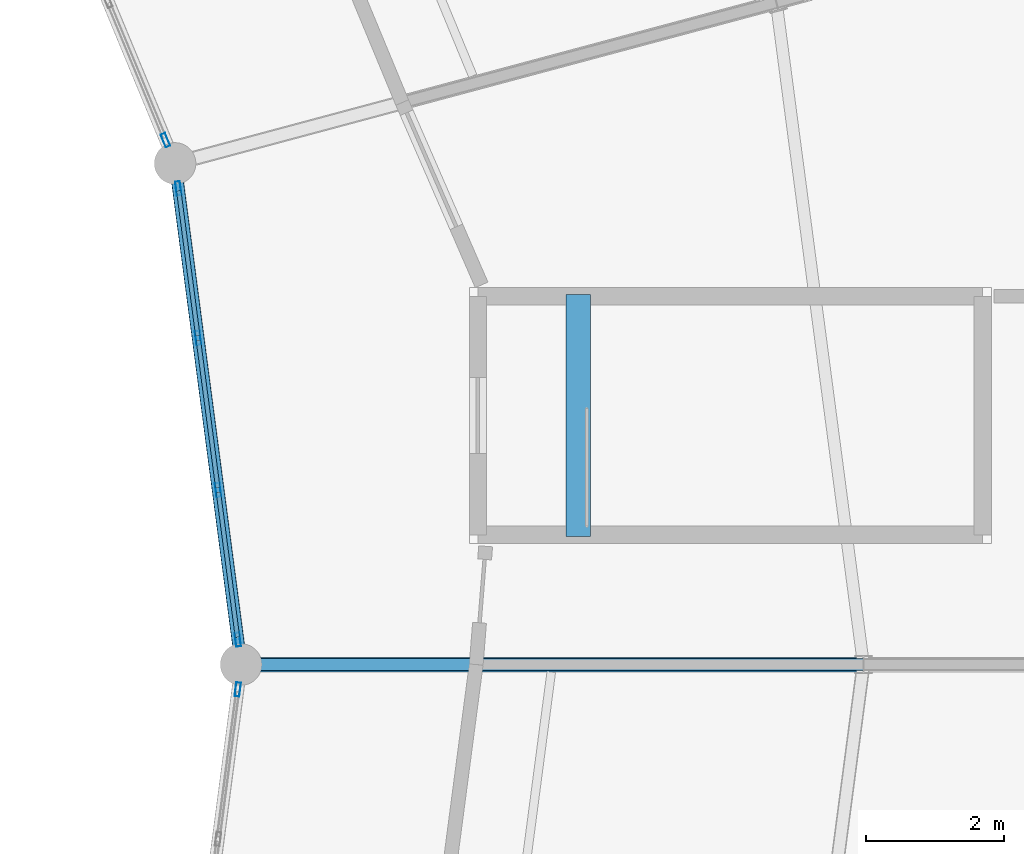
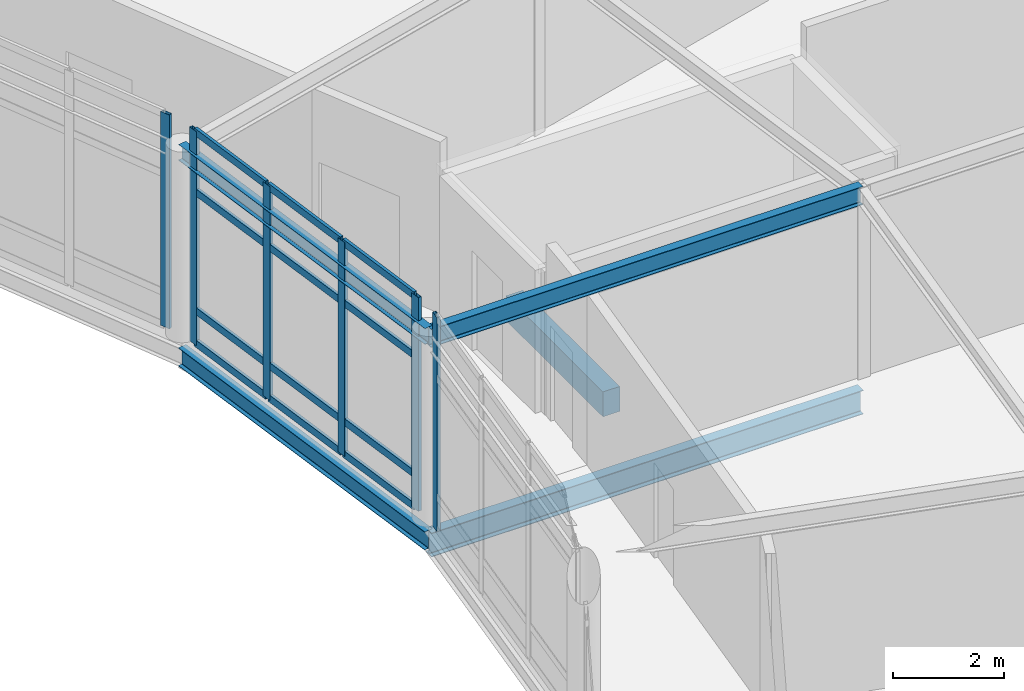
# One storey, part 116 of 185: 18 members, 5 beams, 3 elements without a shape of their own.
"""IFC4 building model written with IfcOpenShell, lengths in metres."""

from ifc_helpers import new_model, si_unit, direction, frame, origin, origin_2d, place, context, subcontext, project, spatial, rectangle, hollow_rectangle, i_section, extrude, material, material_profile, profile_set, type_object, element, aggregate, save


model = new_model("IFC4")

# Units and contexts
model_context = context("Model", 3, precision=1e-05, world=origin(), true_north=direction((0.0, 1.0)))
body_context = subcontext(model_context, "Body", "Model", "MODEL_VIEW")
ifc_project = project(units=[si_unit("LENGTHUNIT", "METRE"), si_unit("AREAUNIT", "SQUARE_METRE"), si_unit("VOLUMEUNIT", "CUBIC_METRE"), si_unit("PLANEANGLEUNIT", "RADIAN"), si_unit("MASSUNIT", "GRAM", prefix="KILO")], contexts=[model_context])

# Site, building, storey
site_placement = place(None, origin())
site = spatial("IfcSite", under=ifc_project, at=site_placement, CompositionType="ELEMENT")
building_placement = place(site_placement, origin())
building = spatial("IfcBuilding", under=site, at=building_placement, Name="Vondelvale Polytechnic", CompositionType="ELEMENT")
storey_placement = place(building_placement, frame((0.0, 0.0, 9.60009765625)))
storey = spatial("IfcBuildingStorey", under=building, at=storey_placement, Name="L02", CompositionType="ELEMENT", Elevation=9.60009765625)

# Beams
ifc_material_1 = material(Name="Concrete N40 (f'c = 40 MPa)", Category="concrete")
ifc_material_profile_1 = material_profile(ifc_material_1, rectangle(XDim=0.35009765625, YDim=0.550048828125, at=origin_2d()), Name="RC-BM-350x550")
ifc_profile_set_1 = profile_set([ifc_material_profile_1], Name="Concrete N40 (f'c = 40 MPa)")
beam_type_1 = type_object("IfcBeamType", Name="BM-RC350x550", PredefinedType="BEAM", material=ifc_profile_set_1)
beam_1_placement = place(storey_placement, frame((134.875, 73.85009765625, -0.275146484375), z_axis=(0.0, 1.0, 0.0), x_axis=(-1.0, 0.0, 0.0)))
element("IfcBeam", 1, at=beam_1_placement, inside=storey, type_object=beam_type_1, Name="L02 STHD B-06", PredefinedType="BEAM", context=body_context, shape_type="SweptSolid", body=[
    extrude(rectangle(XDim=0.35009765625, YDim=0.550048828125, at=origin_2d()), origin(), (0.0, 0.0, 1.0), 3.5),
])
ifc_material_2 = material(Name="Steel 300PLUS (fy = 300 MPa)", Category="steel")
ifc_material_profile_2 = material_profile(ifc_material_2, i_section(OverallWidth=0.1708984375, OverallDepth=0.35205078125, WebThickness=0.0068359375, FlangeThickness=0.009765625, FilletRadius=0.011474609375, at=origin_2d()), Name="360UB44.7")
ifc_profile_set_2 = profile_set([ifc_material_profile_2], Name="Steel 300PLUS (fy = 300 MPa)")
beam_type_2 = type_object("IfcBeamType", Name="BM-UB360L", PredefinedType="BEAM", material=ifc_profile_set_2)
beam_2_placement = place(storey_placement, frame((130.0, 72.0, 4.02392578125), z_axis=(-0.13053140969, 0.991444174467, 0.0), x_axis=(-0.991444174467, -0.13053140969, 0.0)))
element("IfcBeam", 2, at=beam_2_placement, inside=storey, type_object=beam_type_2, Name="L02 RE B-24", PredefinedType="BEAM", context=body_context, shape_type="SweptSolid", body=[
    extrude(i_section(OverallWidth=0.1708984375, OverallDepth=0.35205078125, WebThickness=0.0068359375, FlangeThickness=0.009765625, FilletRadius=0.011474609375, at=origin_2d()), origin(), (0.0, 0.0, 1.0), 7.309326171875),
])
ifc_material_profile_3 = material_profile(ifc_material_2, i_section(OverallWidth=0.177978515625, OverallDepth=0.403076171875, WebThickness=0.007568359375, FlangeThickness=0.010986328125, FilletRadius=0.011474609375, at=origin_2d()), Name="410UB53.7")
ifc_profile_set_3 = profile_set([ifc_material_profile_3], Name="Steel 300PLUS (fy = 300 MPa)")
beam_type_3 = type_object("IfcBeamType", Name="BM-UB410L", PredefinedType="BEAM", material=ifc_profile_set_3)
beam_3_placement = place(storey_placement, frame((130.0, 72.0, -0.481689453125), z_axis=(-0.13053140969, 0.991444174467, 0.0), x_axis=(-0.991444174467, -0.13053140969, 0.0)))
element("IfcBeam", 3, at=beam_3_placement, inside=storey, type_object=beam_type_3, Name="L02 RB B-23", PredefinedType="BEAM", context=body_context, shape_type="SweptSolid", body=[
    extrude(i_section(OverallWidth=0.177978515625, OverallDepth=0.403076171875, WebThickness=0.007568359375, FlangeThickness=0.010986328125, FilletRadius=0.011474609375, at=origin_2d()), origin(), (0.0, 0.0, 1.0), 7.309326171875),
])
beam_4_placement = place(storey_placement, frame((130.0, 72.0, 3.998291015625), z_axis=(1.0, 0.0, 0.0), x_axis=(0.0, 1.0, 0.0)))
element("IfcBeam", 4, at=beam_4_placement, inside=storey, type_object=beam_type_3, Name="L02 REG B-23", PredefinedType="BEAM", context=body_context, shape_type="SweptSolid", body=[
    extrude(i_section(OverallWidth=0.177978515625, OverallDepth=0.403076171875, WebThickness=0.007568359375, FlangeThickness=0.010986328125, FilletRadius=0.011474609375, at=origin_2d()), origin(), (0.0, 0.0, 1.0), 9.0),
])
ifc_material_profile_4 = material_profile(ifc_material_2, i_section(OverallWidth=0.208984375, OverallDepth=0.528076171875, WebThickness=0.009521484375, FlangeThickness=0.01318359375, FilletRadius=0.013916015625, at=origin_2d()), Name="530UB82.0")
ifc_profile_set_4 = profile_set([ifc_material_profile_4], Name="Steel 300PLUS (fy = 300 MPa)")
beam_type_4 = type_object("IfcBeamType", Name="BM-UB530L", PredefinedType="BEAM", material=ifc_profile_set_4)
beam_5_placement = place(storey_placement, frame((130.0, 72.0, -0.544189453125), z_axis=(1.0, 0.0, 0.0), x_axis=(0.0, 1.0, 0.0)))
element("IfcBeam", 5, at=beam_5_placement, inside=storey, type_object=beam_type_4, Name="L02 RG B-21", PredefinedType="BEAM", context=body_context, shape_type="SweptSolid", body=[
    extrude(i_section(OverallWidth=0.208984375, OverallDepth=0.528076171875, WebThickness=0.009521484375, FlangeThickness=0.01318359375, FilletRadius=0.013916015625, at=origin_2d()), origin(), (0.0, 0.0, 1.0), 9.0),
])

# Curtain wall, members
ifc_material_3 = material(Name="Anodised extruded aluminium 6063-T6", Category="aluminium")
curtain_wall_type = type_object("IfcCurtainWallType", Name="CW-RING-CLOISTER", PredefinedType="NOTDEFINED", material=ifc_material_3)
curtain_wall_1_placement = place(storey_placement, origin())
curtain_wall_1 = element("IfcCurtainWall", 6, at=curtain_wall_1_placement, inside=storey, type_object=curtain_wall_type, Name="L02 architectural curtain wall CW-03-073", PredefinedType="NOTDEFINED")
ifc_material_profile_5 = material_profile(ifc_material_3, hollow_rectangle(XDim=0.070068359375, YDim=0.199951171875, WallThickness=0.00390625, at=origin_2d()), Name="CW-MUL-200x70")
ifc_profile_set_5 = profile_set([ifc_material_profile_5], Name="Anodised extruded aluminium 6063-T6")
member_type_1 = type_object("IfcMemberType", Name="CW-MUL-70x200", PredefinedType="MULLION", material=ifc_profile_set_5)
member_1_placement = place(storey_placement, frame((129.95263671875, 72.360595703125, 0.0), z_axis=(0.0, 0.0, 1.0), x_axis=(-0.99144462243, -0.130528007165, 0.0)))
member_1 = element("IfcMember", 7, at=member_1_placement, type_object=member_type_1, Name="CW-03-073 mullion 1", PredefinedType="MULLION", context=body_context, shape_type="SweptSolid", body=[
    extrude(hollow_rectangle(XDim=0.070068359375, YDim=0.199951171875, WallThickness=0.00390625, at=origin_2d()), origin(), (0.0, 0.0, 1.0), 4.713134765625),
])
member_2_placement = place(storey_placement, frame((129.667724609375, 74.524169921875, 0.0), z_axis=(0.0, 0.0, 1.0), x_axis=(-0.99144462243, -0.130528007165, 0.0)))
member_2 = element("IfcMember", 8, at=member_2_placement, type_object=member_type_1, Name="CW-03-073 mullion 2", PredefinedType="MULLION", context=body_context, shape_type="SweptSolid", body=[
    extrude(hollow_rectangle(XDim=0.070068359375, YDim=0.199951171875, WallThickness=0.00390625, at=origin_2d()), origin(), (0.0, 0.0, 1.0), 4.713134765625),
])
member_3_placement = place(storey_placement, frame((129.378173828125, 76.72265625, 0.0), z_axis=(0.0, 0.0, 1.0), x_axis=(-0.99144462243, -0.130528007165, 0.0)))
member_3 = element("IfcMember", 9, at=member_3_placement, type_object=member_type_1, Name="CW-03-073 mullion 3", PredefinedType="MULLION", context=body_context, shape_type="SweptSolid", body=[
    extrude(hollow_rectangle(XDim=0.070068359375, YDim=0.199951171875, WallThickness=0.00390625, at=origin_2d()), origin(), (0.0, 0.0, 1.0), 4.713134765625),
])
member_4_placement = place(storey_placement, frame((129.09326171875, 78.886474609375, 0.0), z_axis=(0.0, 0.0, 1.0), x_axis=(-0.99144462243, -0.130528007165, 0.0)))
member_4 = element("IfcMember", 10, at=member_4_placement, type_object=member_type_1, Name="CW-03-073 mullion 4", PredefinedType="MULLION", context=body_context, shape_type="SweptSolid", body=[
    extrude(hollow_rectangle(XDim=0.070068359375, YDim=0.199951171875, WallThickness=0.00390625, at=origin_2d()), origin(), (0.0, 0.0, 1.0), 4.713134765625),
])

# Curtain wall, member
curtain_wall_2_placement = place(storey_placement, origin())
curtain_wall_2 = element("IfcCurtainWall", 11, at=curtain_wall_2_placement, inside=storey, type_object=curtain_wall_type, Name="L02 architectural curtain wall CW-03-081", PredefinedType="NOTDEFINED")
member_5_placement = place(storey_placement, frame((128.90625, 79.584228515625, 0.0), z_axis=(0.0, 0.0, 1.0), x_axis=(-0.923881562419, -0.382678531697, 0.0)))
member_5 = element("IfcMember", 12, at=member_5_placement, type_object=member_type_1, Name="CW-03-081 mullion 1", PredefinedType="MULLION", context=body_context, shape_type="SweptSolid", body=[
    extrude(hollow_rectangle(XDim=0.070068359375, YDim=0.199951171875, WallThickness=0.00390625, at=origin_2d()), origin(), (0.0, 0.0, 1.0), 4.713134765625),
])
aggregate(curtain_wall_2, [member_5])

curtain_wall_3_placement = place(storey_placement, origin())
curtain_wall_3 = element("IfcCurtainWall", 13, at=curtain_wall_3_placement, inside=storey, type_object=curtain_wall_type, Name="L02 architectural curtain wall CW-03-378", PredefinedType="NOTDEFINED")
member_6_placement = place(storey_placement, frame((129.95263671875, 71.639404296875, 0.0), z_axis=(0.0, 0.0, 1.0), x_axis=(-0.99144462243, 0.130528007165, 0.0)))
member_6 = element("IfcMember", 14, at=member_6_placement, type_object=member_type_1, Name="CW-03-378 mullion 4", PredefinedType="MULLION", context=body_context, shape_type="SweptSolid", body=[
    extrude(hollow_rectangle(XDim=0.070068359375, YDim=0.199951171875, WallThickness=0.00390625, at=origin_2d()), origin(), (0.0, 0.0, 1.0), 4.713134765625),
])
aggregate(curtain_wall_3, [member_6])

# Member
ifc_material_profile_6 = material_profile(ifc_material_3, hollow_rectangle(XDim=0.06494140625, YDim=0.159912109375, WallThickness=0.00341796875, at=origin_2d()), Name="CW-TRN-160x65")
ifc_profile_set_6 = profile_set([ifc_material_profile_6], Name="Anodised extruded aluminium 6063-T6")
member_type_2 = type_object("IfcMemberType", Name="CW-TRN-70x160", PredefinedType="USERDEFINED", material=ifc_profile_set_6)
member_7_placement = place(storey_placement, frame((129.947998046875, 72.395263671875, 0.032470703125), z_axis=(-0.130604000296, 0.99143461464, 0.0), x_axis=(-0.99143461464, -0.130604000296, 0.0)))
member_7 = element("IfcMember", 15, at=member_7_placement, type_object=member_type_2, Name="CW-03-073 transom 1.1", ObjectType="TRANSOM", PredefinedType="USERDEFINED", context=body_context, shape_type="SweptSolid", body=[
    extrude(hollow_rectangle(XDim=0.06494140625, YDim=0.159912109375, WallThickness=0.00341796875, at=origin_2d()), origin(), (0.0, 0.0, 1.0), 2.1123046875),
])

member_8_placement = place(storey_placement, frame((129.947998046875, 72.395263671875, 0.75), z_axis=(-0.130604000296, 0.99143461464, 0.0), x_axis=(-0.99143461464, -0.130604000296, 0.0)))
member_8 = element("IfcMember", 16, at=member_8_placement, type_object=member_type_2, Name="CW-03-073 transom 1.2", ObjectType="TRANSOM", PredefinedType="USERDEFINED", context=body_context, shape_type="SweptSolid", body=[
    extrude(hollow_rectangle(XDim=0.06494140625, YDim=0.159912109375, WallThickness=0.00341796875, at=origin_2d()), origin(), (0.0, 0.0, 1.0), 2.1123046875),
])

member_9_placement = place(storey_placement, frame((129.947998046875, 72.395263671875, 3.363037109375), z_axis=(-0.130604000296, 0.99143461464, 0.0), x_axis=(-0.99143461464, -0.130604000296, 0.0)))
member_9 = element("IfcMember", 17, at=member_9_placement, type_object=member_type_2, Name="CW-03-073 transom 1.3", ObjectType="TRANSOM", PredefinedType="USERDEFINED", context=body_context, shape_type="SweptSolid", body=[
    extrude(hollow_rectangle(XDim=0.06494140625, YDim=0.159912109375, WallThickness=0.00341796875, at=origin_2d()), origin(), (0.0, 0.0, 1.0), 2.1123046875),
])

member_10_placement = place(storey_placement, frame((129.947998046875, 72.395263671875, 4.6806640625), z_axis=(-0.130604000296, 0.99143461464, 0.0), x_axis=(-0.99143461464, -0.130604000296, 0.0)))
member_10 = element("IfcMember", 18, at=member_10_placement, type_object=member_type_2, Name="CW-03-073 transom 1.4", ObjectType="TRANSOM", PredefinedType="USERDEFINED", context=body_context, shape_type="SweptSolid", body=[
    extrude(hollow_rectangle(XDim=0.06494140625, YDim=0.159912109375, WallThickness=0.00341796875, at=origin_2d()), origin(), (0.0, 0.0, 1.0), 2.1123046875),
])

member_11_placement = place(storey_placement, frame((129.6630859375, 74.558837890625, 0.032470703125), z_axis=(-0.1305103875, 0.991446941977, 0.0), x_axis=(-0.991446941977, -0.1305103875, 0.0)))
member_11 = element("IfcMember", 19, at=member_11_placement, type_object=member_type_2, Name="CW-03-073 transom 2.1", ObjectType="TRANSOM", PredefinedType="USERDEFINED", context=body_context, shape_type="SweptSolid", body=[
    extrude(hollow_rectangle(XDim=0.06494140625, YDim=0.159912109375, WallThickness=0.00341796875, at=origin_2d()), origin(), (0.0, 0.0, 1.0), 2.1474609375),
])

member_12_placement = place(storey_placement, frame((129.6630859375, 74.558837890625, 0.75), z_axis=(-0.1305103875, 0.991446941977, 0.0), x_axis=(-0.991446941977, -0.1305103875, 0.0)))
member_12 = element("IfcMember", 20, at=member_12_placement, type_object=member_type_2, Name="CW-03-073 transom 2.2", ObjectType="TRANSOM", PredefinedType="USERDEFINED", context=body_context, shape_type="SweptSolid", body=[
    extrude(hollow_rectangle(XDim=0.06494140625, YDim=0.159912109375, WallThickness=0.00341796875, at=origin_2d()), origin(), (0.0, 0.0, 1.0), 2.1474609375),
])

member_13_placement = place(storey_placement, frame((129.6630859375, 74.558837890625, 3.363037109375), z_axis=(-0.1305103875, 0.991446941977, 0.0), x_axis=(-0.991446941977, -0.1305103875, 0.0)))
member_13 = element("IfcMember", 21, at=member_13_placement, type_object=member_type_2, Name="CW-03-073 transom 2.3", ObjectType="TRANSOM", PredefinedType="USERDEFINED", context=body_context, shape_type="SweptSolid", body=[
    extrude(hollow_rectangle(XDim=0.06494140625, YDim=0.159912109375, WallThickness=0.00341796875, at=origin_2d()), origin(), (0.0, 0.0, 1.0), 2.1474609375),
])

member_14_placement = place(storey_placement, frame((129.6630859375, 74.558837890625, 4.6806640625), z_axis=(-0.1305103875, 0.991446941977, 0.0), x_axis=(-0.991446941977, -0.1305103875, 0.0)))
member_14 = element("IfcMember", 22, at=member_14_placement, type_object=member_type_2, Name="CW-03-073 transom 2.4", ObjectType="TRANSOM", PredefinedType="USERDEFINED", context=body_context, shape_type="SweptSolid", body=[
    extrude(hollow_rectangle(XDim=0.06494140625, YDim=0.159912109375, WallThickness=0.00341796875, at=origin_2d()), origin(), (0.0, 0.0, 1.0), 2.1474609375),
])

member_15_placement = place(storey_placement, frame((129.373779296875, 76.75732421875, 0.032470703125), z_axis=(-0.130589036243, 0.991436585775, 0.0), x_axis=(-0.991436585775, -0.130589036243, 0.0)))
member_15 = element("IfcMember", 23, at=member_15_placement, type_object=member_type_2, Name="CW-03-073 transom 3.1", ObjectType="TRANSOM", PredefinedType="USERDEFINED", context=body_context, shape_type="SweptSolid", body=[
    extrude(hollow_rectangle(XDim=0.06494140625, YDim=0.159912109375, WallThickness=0.00341796875, at=origin_2d()), origin(), (0.0, 0.0, 1.0), 2.112548828125),
])

member_16_placement = place(storey_placement, frame((129.373779296875, 76.75732421875, 0.75), z_axis=(-0.130589036243, 0.991436585775, 0.0), x_axis=(-0.991436585775, -0.130589036243, 0.0)))
member_16 = element("IfcMember", 24, at=member_16_placement, type_object=member_type_2, Name="CW-03-073 transom 3.2", ObjectType="TRANSOM", PredefinedType="USERDEFINED", context=body_context, shape_type="SweptSolid", body=[
    extrude(hollow_rectangle(XDim=0.06494140625, YDim=0.159912109375, WallThickness=0.00341796875, at=origin_2d()), origin(), (0.0, 0.0, 1.0), 2.112548828125),
])

member_17_placement = place(storey_placement, frame((129.373779296875, 76.75732421875, 3.363037109375), z_axis=(-0.130589036243, 0.991436585775, 0.0), x_axis=(-0.991436585775, -0.130589036243, 0.0)))
member_17 = element("IfcMember", 25, at=member_17_placement, type_object=member_type_2, Name="CW-03-073 transom 3.3", ObjectType="TRANSOM", PredefinedType="USERDEFINED", context=body_context, shape_type="SweptSolid", body=[
    extrude(hollow_rectangle(XDim=0.06494140625, YDim=0.159912109375, WallThickness=0.00341796875, at=origin_2d()), origin(), (0.0, 0.0, 1.0), 2.112548828125),
])

member_18_placement = place(storey_placement, frame((129.373779296875, 76.75732421875, 4.6806640625), z_axis=(-0.130589036243, 0.991436585775, 0.0), x_axis=(-0.991436585775, -0.130589036243, 0.0)))
member_18 = element("IfcMember", 26, at=member_18_placement, type_object=member_type_2, Name="CW-03-073 transom 3.4", ObjectType="TRANSOM", PredefinedType="USERDEFINED", context=body_context, shape_type="SweptSolid", body=[
    extrude(hollow_rectangle(XDim=0.06494140625, YDim=0.159912109375, WallThickness=0.00341796875, at=origin_2d()), origin(), (0.0, 0.0, 1.0), 2.112548828125),
])

aggregate(curtain_wall_1, [member_1, member_2, member_3, member_4, member_7, member_8, member_9, member_10, member_11, member_12, member_13, member_14, member_15, member_16, member_17, member_18])

save(model, "model.ifc")
